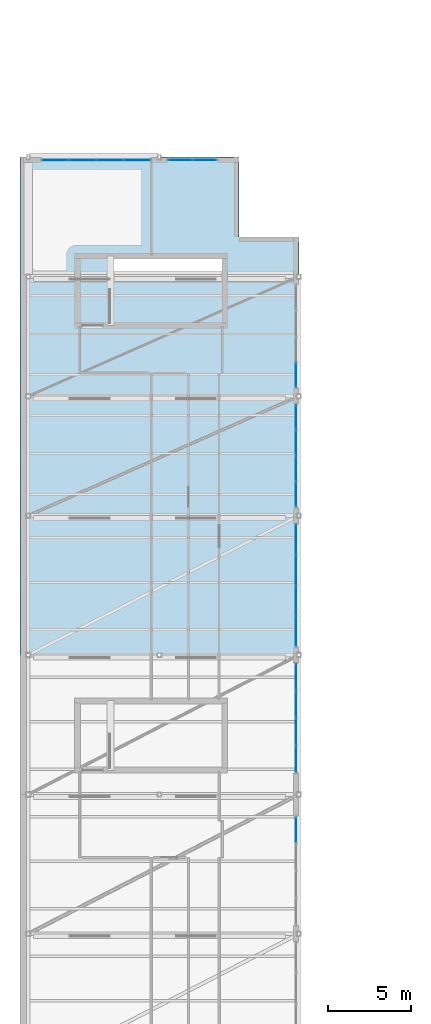
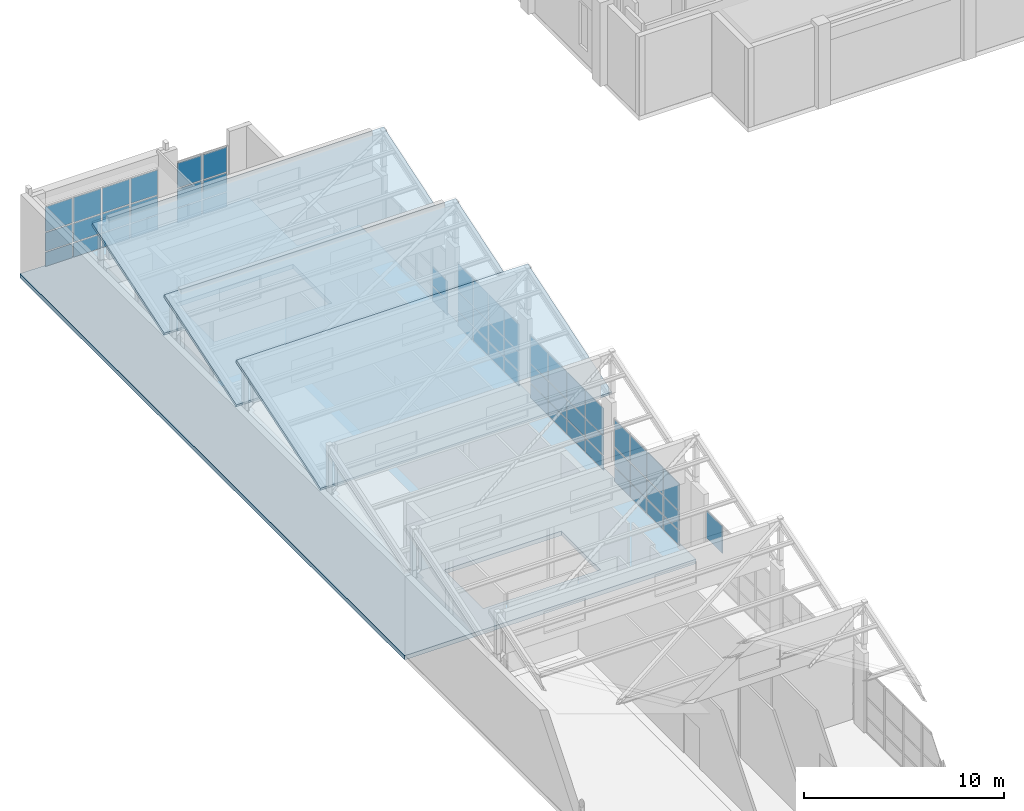
# One storey, part 22 of 34: 57 plates, 4 slabs, 7 elements without a shape of their own.
"""IFC4 building model written with IfcOpenShell, lengths in metres."""

from ifc_helpers import new_model, si_unit, direction, frame, origin, origin_2d, place, context, subcontext, project, spatial, polyline, rectangle, outline, extrude, material, layer, layer_set, type_object, element, aggregate, save


model = new_model("IFC4")

# Units and contexts
model_context = context("Model", 3, precision=1e-05, world=origin(), true_north=direction((0.0, 1.0)))
body_context = subcontext(model_context, "Body", "Model", "MODEL_VIEW")
ifc_project = project(units=[si_unit("LENGTHUNIT", "METRE"), si_unit("AREAUNIT", "SQUARE_METRE"), si_unit("VOLUMEUNIT", "CUBIC_METRE"), si_unit("PLANEANGLEUNIT", "RADIAN"), si_unit("MASSUNIT", "GRAM", prefix="KILO")], contexts=[model_context])

# Site, building, storey
site_placement = place(None, origin())
site = spatial("IfcSite", under=ifc_project, at=site_placement, CompositionType="ELEMENT")
building_placement = place(site_placement, origin())
building = spatial("IfcBuilding", under=site, at=building_placement, Name="Quendrovan Civic Courthouse", CompositionType="ELEMENT")
storey_placement = place(building_placement, frame((0.0, 0.0, 25.5)))
storey = spatial("IfcBuildingStorey", under=building, at=storey_placement, Name="L06", CompositionType="ELEMENT", Elevation=25.5)

# Curtain wall, plates
ifc_material_1 = material(Name="Bronze anodised aluminium and low-E glass", Category="aluminium")
ifc_layer_1 = layer(ifc_material_1, 0.179931640625, Name="Bronze anodised aluminium and low-E glass")
ifc_layer_set_1 = layer_set([ifc_layer_1], Name="Bronze anodised aluminium and low-E glass")
curtain_wall_type_1 = type_object("IfcCurtainWallType", Name="CW-U62x39", PredefinedType="USERDEFINED", material=ifc_layer_set_1)
curtain_wall_1_placement = place(storey_placement, origin())
curtain_wall_1 = element("IfcCurtainWall", 1, at=curtain_wall_1_placement, inside=storey, type_object=curtain_wall_type_1, Name="L06 Unitised Hurricane Curtain Wall CW-208", ObjectType="UNITISED CURTAIN WALL", PredefinedType="USERDEFINED")
ifc_material_2 = material(Name="Laminated hurricane-impact low-E glass", Category="glass")
ifc_layer_2 = layer(ifc_material_2, 0.028076171875, Name="Laminated hurricane-impact low-E glass")
ifc_layer_set_2 = layer_set([ifc_layer_2], Name="Laminated hurricane-impact low-E glass")
plate_type_1 = type_object("IfcPlateType", Name="CW-PNL-1", PredefinedType="CURTAIN_PANEL", material=ifc_layer_set_2)
plate_1_placement = place(storey_placement, frame((16.635009765625, 79.12939453125, 0.06982421875), z_axis=(0.0, 0.0, 1.0), x_axis=(0.0, -1.0, 0.0)))
plate_1 = element("IfcPlate", 2, at=plate_1_placement, type_object=plate_type_1, Name="CW-208 panel 1.1", PredefinedType="CURTAIN_PANEL", context=body_context, shape_type="SweptSolid", body=[
    extrude(rectangle(XDim=1.451171875, YDim=0.028076171875, at=origin_2d()), origin(), (0.0, 0.0, 1.0), 0.844970703125),
])
plate_2_placement = place(storey_placement, frame((16.635009765625, 79.12939453125, 0.985107421875), z_axis=(0.0, 0.0, 1.0), x_axis=(0.0, -1.0, 0.0)))
plate_2 = element("IfcPlate", 3, at=plate_2_placement, type_object=plate_type_1, Name="CW-208 panel 1.2", PredefinedType="CURTAIN_PANEL", context=body_context, shape_type="SweptSolid", body=[
    extrude(rectangle(XDim=1.451171875, YDim=0.028076171875, at=origin_2d()), origin(), (0.0, 0.0, 1.0), 1.1298828125),
])
plate_3_placement = place(storey_placement, frame((16.635009765625, 79.12939453125, 2.18505859375), z_axis=(0.0, 0.0, 1.0), x_axis=(0.0, -1.0, 0.0)))
plate_3 = element("IfcPlate", 4, at=plate_3_placement, type_object=plate_type_1, Name="CW-208 panel 1.3", PredefinedType="CURTAIN_PANEL", context=body_context, shape_type="SweptSolid", body=[
    extrude(rectangle(XDim=1.451171875, YDim=0.028076171875, at=origin_2d()), origin(), (0.0, 0.0, 1.0), 1.64501953125),
])
plate_4_placement = place(storey_placement, frame((16.635009765625, 77.590576171875, 0.06982421875), z_axis=(0.0, 0.0, 1.0), x_axis=(0.0, -1.0, 0.0)))
plate_4 = element("IfcPlate", 5, at=plate_4_placement, type_object=plate_type_1, Name="CW-208 panel 2.1", PredefinedType="CURTAIN_PANEL", context=body_context, shape_type="SweptSolid", body=[
    extrude(rectangle(XDim=1.486328125, YDim=0.028076171875, at=origin_2d()), origin(), (0.0, 0.0, 1.0), 0.844970703125),
])
plate_5_placement = place(storey_placement, frame((16.635009765625, 77.590576171875, 0.985107421875), z_axis=(0.0, 0.0, 1.0), x_axis=(0.0, -1.0, 0.0)))
plate_5 = element("IfcPlate", 6, at=plate_5_placement, type_object=plate_type_1, Name="CW-208 panel 2.2", PredefinedType="CURTAIN_PANEL", context=body_context, shape_type="SweptSolid", body=[
    extrude(rectangle(XDim=1.486328125, YDim=0.028076171875, at=origin_2d()), origin(), (0.0, 0.0, 1.0), 1.1298828125),
])
plate_6_placement = place(storey_placement, frame((16.635009765625, 77.590576171875, 2.18505859375), z_axis=(0.0, 0.0, 1.0), x_axis=(0.0, -1.0, 0.0)))
plate_6 = element("IfcPlate", 7, at=plate_6_placement, type_object=plate_type_1, Name="CW-208 panel 2.3", PredefinedType="CURTAIN_PANEL", context=body_context, shape_type="SweptSolid", body=[
    extrude(rectangle(XDim=1.486328125, YDim=0.028076171875, at=origin_2d()), origin(), (0.0, 0.0, 1.0), 1.64501953125),
])
plate_7_placement = place(storey_placement, frame((16.635009765625, 76.034423828125, 0.06982421875), z_axis=(0.0, 0.0, 1.0), x_axis=(0.0, -1.0, 0.0)))
plate_7 = element("IfcPlate", 8, at=plate_7_placement, type_object=plate_type_1, Name="CW-208 panel 3.1", PredefinedType="CURTAIN_PANEL", context=body_context, shape_type="SweptSolid", body=[
    extrude(rectangle(XDim=1.486328125, YDim=0.028076171875, at=origin_2d()), origin(), (0.0, 0.0, 1.0), 0.844970703125),
])
plate_8_placement = place(storey_placement, frame((16.635009765625, 76.034423828125, 0.985107421875), z_axis=(0.0, 0.0, 1.0), x_axis=(0.0, -1.0, 0.0)))
plate_8 = element("IfcPlate", 9, at=plate_8_placement, type_object=plate_type_1, Name="CW-208 panel 3.2", PredefinedType="CURTAIN_PANEL", context=body_context, shape_type="SweptSolid", body=[
    extrude(rectangle(XDim=1.486328125, YDim=0.028076171875, at=origin_2d()), origin(), (0.0, 0.0, 1.0), 1.1298828125),
])
plate_9_placement = place(storey_placement, frame((16.635009765625, 76.034423828125, 2.18505859375), z_axis=(0.0, 0.0, 1.0), x_axis=(0.0, -1.0, 0.0)))
plate_9 = element("IfcPlate", 10, at=plate_9_placement, type_object=plate_type_1, Name="CW-208 panel 3.3", PredefinedType="CURTAIN_PANEL", context=body_context, shape_type="SweptSolid", body=[
    extrude(rectangle(XDim=1.486328125, YDim=0.028076171875, at=origin_2d()), origin(), (0.0, 0.0, 1.0), 1.64501953125),
])
plate_10_placement = place(storey_placement, frame((16.635009765625, 74.49560546875, 0.06982421875), z_axis=(0.0, 0.0, 1.0), x_axis=(0.0, -1.0, 0.0)))
plate_10 = element("IfcPlate", 11, at=plate_10_placement, type_object=plate_type_1, Name="CW-208 panel 4.1", PredefinedType="CURTAIN_PANEL", context=body_context, shape_type="SweptSolid", body=[
    extrude(rectangle(XDim=1.451171875, YDim=0.028076171875, at=origin_2d()), origin(), (0.0, 0.0, 1.0), 0.844970703125),
])
plate_11_placement = place(storey_placement, frame((16.635009765625, 74.49560546875, 0.985107421875), z_axis=(0.0, 0.0, 1.0), x_axis=(0.0, -1.0, 0.0)))
plate_11 = element("IfcPlate", 12, at=plate_11_placement, type_object=plate_type_1, Name="CW-208 panel 4.2", PredefinedType="CURTAIN_PANEL", context=body_context, shape_type="SweptSolid", body=[
    extrude(rectangle(XDim=1.451171875, YDim=0.028076171875, at=origin_2d()), origin(), (0.0, 0.0, 1.0), 1.1298828125),
])
plate_12_placement = place(storey_placement, frame((16.635009765625, 74.49560546875, 2.18505859375), z_axis=(0.0, 0.0, 1.0), x_axis=(0.0, -1.0, 0.0)))
plate_12 = element("IfcPlate", 13, at=plate_12_placement, type_object=plate_type_1, Name="CW-208 panel 4.3", PredefinedType="CURTAIN_PANEL", context=body_context, shape_type="SweptSolid", body=[
    extrude(rectangle(XDim=1.451171875, YDim=0.028076171875, at=origin_2d()), origin(), (0.0, 0.0, 1.0), 1.64501953125),
])
aggregate(curtain_wall_1, [plate_1, plate_2, plate_3, plate_4, plate_5, plate_6, plate_7, plate_8, plate_9, plate_10, plate_11, plate_12])

ifc_layer_3 = layer(ifc_material_1, 0.179931640625, Name="Bronze anodised aluminium and low-E glass")
ifc_layer_set_3 = layer_set([ifc_layer_3], Name="Bronze anodised aluminium and low-E glass")
curtain_wall_type_2 = type_object("IfcCurtainWallType", Name="CW-U66x38", PredefinedType="USERDEFINED", material=ifc_layer_set_3)
curtain_wall_2_placement = place(storey_placement, origin())
curtain_wall_2 = element("IfcCurtainWall", 14, at=curtain_wall_2_placement, inside=storey, type_object=curtain_wall_type_2, Name="L06 Unitised Hurricane Curtain Wall CW-205", ObjectType="UNITISED CURTAIN WALL", PredefinedType="USERDEFINED")
ifc_layer_4 = layer(ifc_material_2, 0.031982421875, Name="Laminated hurricane-impact low-E glass")
ifc_layer_set_4 = layer_set([ifc_layer_4], Name="Laminated hurricane-impact low-E glass")
plate_type_2 = type_object("IfcPlateType", Name="CW-PNL-2", PredefinedType="CURTAIN_PANEL", material=ifc_layer_set_4)
plate_13_placement = place(storey_placement, frame((2.141357421875, 94.635009765625, 0.06494140625), z_axis=(0.0, 0.0, 1.0), x_axis=(1.0, 0.0, 0.0)))
plate_13 = element("IfcPlate", 15, at=plate_13_placement, type_object=plate_type_2, Name="CW-205 panel 1.1", PredefinedType="CURTAIN_PANEL", context=body_context, shape_type="SweptSolid", body=[
    extrude(rectangle(XDim=1.552490234375, YDim=0.031982421875, at=origin_2d()), origin(), (0.0, 0.0, 1.0), 0.8525390625),
])
plate_14_placement = place(storey_placement, frame((2.141357421875, 94.635009765625, 0.982421875), z_axis=(0.0, 0.0, 1.0), x_axis=(1.0, 0.0, 0.0)))
plate_14 = element("IfcPlate", 16, at=plate_14_placement, type_object=plate_type_2, Name="CW-205 panel 1.2", PredefinedType="CURTAIN_PANEL", context=body_context, shape_type="SweptSolid", body=[
    extrude(rectangle(XDim=1.552490234375, YDim=0.031982421875, at=origin_2d()), origin(), (0.0, 0.0, 1.0), 1.135009765625),
])
plate_15_placement = place(storey_placement, frame((2.141357421875, 94.635009765625, 2.1826171875), z_axis=(0.0, 0.0, 1.0), x_axis=(1.0, 0.0, 0.0)))
plate_15 = element("IfcPlate", 17, at=plate_15_placement, type_object=plate_type_2, Name="CW-205 panel 1.3", PredefinedType="CURTAIN_PANEL", context=body_context, shape_type="SweptSolid", body=[
    extrude(rectangle(XDim=1.552490234375, YDim=0.031982421875, at=origin_2d()), origin(), (0.0, 0.0, 1.0), 1.512451171875),
])
plate_16_placement = place(storey_placement, frame((3.77490234375, 94.635009765625, 0.06494140625), z_axis=(0.0, 0.0, 1.0), x_axis=(1.0, 0.0, 0.0)))
plate_16 = element("IfcPlate", 18, at=plate_16_placement, type_object=plate_type_2, Name="CW-205 panel 2.1", PredefinedType="CURTAIN_PANEL", context=body_context, shape_type="SweptSolid", body=[
    extrude(rectangle(XDim=1.5849609375, YDim=0.031982421875, at=origin_2d()), origin(), (0.0, 0.0, 1.0), 0.8525390625),
])
plate_17_placement = place(storey_placement, frame((3.77490234375, 94.635009765625, 0.982421875), z_axis=(0.0, 0.0, 1.0), x_axis=(1.0, 0.0, 0.0)))
plate_17 = element("IfcPlate", 19, at=plate_17_placement, type_object=plate_type_2, Name="CW-205 panel 2.2", PredefinedType="CURTAIN_PANEL", context=body_context, shape_type="SweptSolid", body=[
    extrude(rectangle(XDim=1.5849609375, YDim=0.031982421875, at=origin_2d()), origin(), (0.0, 0.0, 1.0), 1.135009765625),
])
plate_18_placement = place(storey_placement, frame((3.77490234375, 94.635009765625, 2.1826171875), z_axis=(0.0, 0.0, 1.0), x_axis=(1.0, 0.0, 0.0)))
plate_18 = element("IfcPlate", 20, at=plate_18_placement, type_object=plate_type_2, Name="CW-205 panel 2.3", PredefinedType="CURTAIN_PANEL", context=body_context, shape_type="SweptSolid", body=[
    extrude(rectangle(XDim=1.5849609375, YDim=0.031982421875, at=origin_2d()), origin(), (0.0, 0.0, 1.0), 1.512451171875),
])
plate_19_placement = place(storey_placement, frame((5.425048828125, 94.635009765625, 0.06494140625), z_axis=(0.0, 0.0, 1.0), x_axis=(1.0, 0.0, 0.0)))
plate_19 = element("IfcPlate", 21, at=plate_19_placement, type_object=plate_type_2, Name="CW-205 panel 3.1", PredefinedType="CURTAIN_PANEL", context=body_context, shape_type="SweptSolid", body=[
    extrude(rectangle(XDim=1.5849609375, YDim=0.031982421875, at=origin_2d()), origin(), (0.0, 0.0, 1.0), 0.8525390625),
])
plate_20_placement = place(storey_placement, frame((5.425048828125, 94.635009765625, 0.982421875), z_axis=(0.0, 0.0, 1.0), x_axis=(1.0, 0.0, 0.0)))
plate_20 = element("IfcPlate", 22, at=plate_20_placement, type_object=plate_type_2, Name="CW-205 panel 3.2", PredefinedType="CURTAIN_PANEL", context=body_context, shape_type="SweptSolid", body=[
    extrude(rectangle(XDim=1.5849609375, YDim=0.031982421875, at=origin_2d()), origin(), (0.0, 0.0, 1.0), 1.135009765625),
])
plate_21_placement = place(storey_placement, frame((5.425048828125, 94.635009765625, 2.1826171875), z_axis=(0.0, 0.0, 1.0), x_axis=(1.0, 0.0, 0.0)))
plate_21 = element("IfcPlate", 23, at=plate_21_placement, type_object=plate_type_2, Name="CW-205 panel 3.3", PredefinedType="CURTAIN_PANEL", context=body_context, shape_type="SweptSolid", body=[
    extrude(rectangle(XDim=1.5849609375, YDim=0.031982421875, at=origin_2d()), origin(), (0.0, 0.0, 1.0), 1.512451171875),
])
plate_22_placement = place(storey_placement, frame((7.058837890625, 94.635009765625, 0.06494140625), z_axis=(0.0, 0.0, 1.0), x_axis=(1.0, 0.0, 0.0)))
plate_22 = element("IfcPlate", 24, at=plate_22_placement, type_object=plate_type_2, Name="CW-205 panel 4.1", PredefinedType="CURTAIN_PANEL", context=body_context, shape_type="SweptSolid", body=[
    extrude(rectangle(XDim=1.552490234375, YDim=0.031982421875, at=origin_2d()), origin(), (0.0, 0.0, 1.0), 0.8525390625),
])
plate_23_placement = place(storey_placement, frame((7.058837890625, 94.635009765625, 0.982421875), z_axis=(0.0, 0.0, 1.0), x_axis=(1.0, 0.0, 0.0)))
plate_23 = element("IfcPlate", 25, at=plate_23_placement, type_object=plate_type_2, Name="CW-205 panel 4.2", PredefinedType="CURTAIN_PANEL", context=body_context, shape_type="SweptSolid", body=[
    extrude(rectangle(XDim=1.552490234375, YDim=0.031982421875, at=origin_2d()), origin(), (0.0, 0.0, 1.0), 1.135009765625),
])
plate_24_placement = place(storey_placement, frame((7.058837890625, 94.635009765625, 2.1826171875), z_axis=(0.0, 0.0, 1.0), x_axis=(1.0, 0.0, 0.0)))
plate_24 = element("IfcPlate", 26, at=plate_24_placement, type_object=plate_type_2, Name="CW-205 panel 4.3", PredefinedType="CURTAIN_PANEL", context=body_context, shape_type="SweptSolid", body=[
    extrude(rectangle(XDim=1.552490234375, YDim=0.031982421875, at=origin_2d()), origin(), (0.0, 0.0, 1.0), 1.512451171875),
])
aggregate(curtain_wall_2, [plate_13, plate_14, plate_15, plate_16, plate_17, plate_18, plate_19, plate_20, plate_21, plate_22, plate_23, plate_24])

ifc_layer_5 = layer(ifc_material_1, 0.179931640625, Name="Bronze anodised aluminium and low-E glass")
ifc_layer_set_5 = layer_set([ifc_layer_5], Name="Bronze anodised aluminium and low-E glass")
curtain_wall_type_3 = type_object("IfcCurtainWallType", Name="CW-U74x39", PredefinedType="USERDEFINED", material=ifc_layer_set_5)
curtain_wall_3_placement = place(storey_placement, origin())
curtain_wall_3 = element("IfcCurtainWall", 27, at=curtain_wall_3_placement, inside=storey, type_object=curtain_wall_type_3, Name="L06 Unitised Hurricane Curtain Wall CW-209", ObjectType="UNITISED CURTAIN WALL", PredefinedType="USERDEFINED")
plate_25_placement = place(storey_placement, frame((16.635009765625, 71.757080078125, 0.06494140625), z_axis=(0.0, 0.0, 1.0), x_axis=(0.0, -1.0, 0.0)))
plate_25 = element("IfcPlate", 28, at=plate_25_placement, type_object=plate_type_2, Name="CW-209 panel 1.1", PredefinedType="CURTAIN_PANEL", context=body_context, shape_type="SweptSolid", body=[
    extrude(rectangle(XDim=1.755859375, YDim=0.031982421875, at=origin_2d()), origin(), (0.0, 0.0, 1.0), 0.8525390625),
])
plate_26_placement = place(storey_placement, frame((16.635009765625, 71.757080078125, 0.982421875), z_axis=(0.0, 0.0, 1.0), x_axis=(0.0, -1.0, 0.0)))
plate_26 = element("IfcPlate", 29, at=plate_26_placement, type_object=plate_type_2, Name="CW-209 panel 1.2", PredefinedType="CURTAIN_PANEL", context=body_context, shape_type="SweptSolid", body=[
    extrude(rectangle(XDim=1.755859375, YDim=0.031982421875, at=origin_2d()), origin(), (0.0, 0.0, 1.0), 1.135009765625),
])
plate_27_placement = place(storey_placement, frame((16.635009765625, 71.757080078125, 2.1826171875), z_axis=(0.0, 0.0, 1.0), x_axis=(0.0, -1.0, 0.0)))
plate_27 = element("IfcPlate", 30, at=plate_27_placement, type_object=plate_type_2, Name="CW-209 panel 1.3", PredefinedType="CURTAIN_PANEL", context=body_context, shape_type="SweptSolid", body=[
    extrude(rectangle(XDim=1.755859375, YDim=0.031982421875, at=origin_2d()), origin(), (0.0, 0.0, 1.0), 1.652587890625),
])
plate_28_placement = place(storey_placement, frame((16.635009765625, 69.919921875, 0.06494140625), z_axis=(0.0, 0.0, 1.0), x_axis=(0.0, -1.0, 0.0)))
plate_28 = element("IfcPlate", 31, at=plate_28_placement, type_object=plate_type_2, Name="CW-209 panel 2.1", PredefinedType="CURTAIN_PANEL", context=body_context, shape_type="SweptSolid", body=[
    extrude(rectangle(XDim=1.788330078125, YDim=0.031982421875, at=origin_2d()), origin(), (0.0, 0.0, 1.0), 0.8525390625),
])
plate_29_placement = place(storey_placement, frame((16.635009765625, 69.919921875, 0.982421875), z_axis=(0.0, 0.0, 1.0), x_axis=(0.0, -1.0, 0.0)))
plate_29 = element("IfcPlate", 32, at=plate_29_placement, type_object=plate_type_2, Name="CW-209 panel 2.2", PredefinedType="CURTAIN_PANEL", context=body_context, shape_type="SweptSolid", body=[
    extrude(rectangle(XDim=1.788330078125, YDim=0.031982421875, at=origin_2d()), origin(), (0.0, 0.0, 1.0), 1.135009765625),
])
plate_30_placement = place(storey_placement, frame((16.635009765625, 69.919921875, 2.1826171875), z_axis=(0.0, 0.0, 1.0), x_axis=(0.0, -1.0, 0.0)))
plate_30 = element("IfcPlate", 33, at=plate_30_placement, type_object=plate_type_2, Name="CW-209 panel 2.3", PredefinedType="CURTAIN_PANEL", context=body_context, shape_type="SweptSolid", body=[
    extrude(rectangle(XDim=1.788330078125, YDim=0.031982421875, at=origin_2d()), origin(), (0.0, 0.0, 1.0), 1.652587890625),
])
plate_31_placement = place(storey_placement, frame((16.635009765625, 68.066650390625, 0.06494140625), z_axis=(0.0, 0.0, 1.0), x_axis=(0.0, -1.0, 0.0)))
plate_31 = element("IfcPlate", 34, at=plate_31_placement, type_object=plate_type_2, Name="CW-209 panel 3.1", PredefinedType="CURTAIN_PANEL", context=body_context, shape_type="SweptSolid", body=[
    extrude(rectangle(XDim=1.788330078125, YDim=0.031982421875, at=origin_2d()), origin(), (0.0, 0.0, 1.0), 0.8525390625),
])
plate_32_placement = place(storey_placement, frame((16.635009765625, 68.066650390625, 0.982421875), z_axis=(0.0, 0.0, 1.0), x_axis=(0.0, -1.0, 0.0)))
plate_32 = element("IfcPlate", 35, at=plate_32_placement, type_object=plate_type_2, Name="CW-209 panel 3.2", PredefinedType="CURTAIN_PANEL", context=body_context, shape_type="SweptSolid", body=[
    extrude(rectangle(XDim=1.788330078125, YDim=0.031982421875, at=origin_2d()), origin(), (0.0, 0.0, 1.0), 1.135009765625),
])
plate_33_placement = place(storey_placement, frame((16.635009765625, 68.066650390625, 2.1826171875), z_axis=(0.0, 0.0, 1.0), x_axis=(0.0, -1.0, 0.0)))
plate_33 = element("IfcPlate", 36, at=plate_33_placement, type_object=plate_type_2, Name="CW-209 panel 3.3", PredefinedType="CURTAIN_PANEL", context=body_context, shape_type="SweptSolid", body=[
    extrude(rectangle(XDim=1.788330078125, YDim=0.031982421875, at=origin_2d()), origin(), (0.0, 0.0, 1.0), 1.652587890625),
])
plate_34_placement = place(storey_placement, frame((16.635009765625, 66.2294921875, 0.06494140625), z_axis=(0.0, 0.0, 1.0), x_axis=(0.0, -1.0, 0.0)))
plate_34 = element("IfcPlate", 37, at=plate_34_placement, type_object=plate_type_2, Name="CW-209 panel 4.1", PredefinedType="CURTAIN_PANEL", context=body_context, shape_type="SweptSolid", body=[
    extrude(rectangle(XDim=1.755859375, YDim=0.031982421875, at=origin_2d()), origin(), (0.0, 0.0, 1.0), 0.8525390625),
])
plate_35_placement = place(storey_placement, frame((16.635009765625, 66.2294921875, 0.982421875), z_axis=(0.0, 0.0, 1.0), x_axis=(0.0, -1.0, 0.0)))
plate_35 = element("IfcPlate", 38, at=plate_35_placement, type_object=plate_type_2, Name="CW-209 panel 4.2", PredefinedType="CURTAIN_PANEL", context=body_context, shape_type="SweptSolid", body=[
    extrude(rectangle(XDim=1.755859375, YDim=0.031982421875, at=origin_2d()), origin(), (0.0, 0.0, 1.0), 1.135009765625),
])
plate_36_placement = place(storey_placement, frame((16.635009765625, 66.2294921875, 2.1826171875), z_axis=(0.0, 0.0, 1.0), x_axis=(0.0, -1.0, 0.0)))
plate_36 = element("IfcPlate", 39, at=plate_36_placement, type_object=plate_type_2, Name="CW-209 panel 4.3", PredefinedType="CURTAIN_PANEL", context=body_context, shape_type="SweptSolid", body=[
    extrude(rectangle(XDim=1.755859375, YDim=0.031982421875, at=origin_2d()), origin(), (0.0, 0.0, 1.0), 1.652587890625),
])
aggregate(curtain_wall_3, [plate_25, plate_26, plate_27, plate_28, plate_29, plate_30, plate_31, plate_32, plate_33, plate_34, plate_35, plate_36])

ifc_layer_6 = layer(ifc_material_1, 0.179931640625, Name="Bronze anodised aluminium and low-E glass")
ifc_layer_set_6 = layer_set([ifc_layer_6], Name="Bronze anodised aluminium and low-E glass")
curtain_wall_type_4 = type_object("IfcCurtainWallType", Name="CW-U30x38", PredefinedType="USERDEFINED", material=ifc_layer_set_6)
curtain_wall_4_placement = place(storey_placement, origin())
curtain_wall_4 = element("IfcCurtainWall", 40, at=curtain_wall_4_placement, inside=storey, type_object=curtain_wall_type_4, Name="L06 Unitised Hurricane Curtain Wall CW-206", ObjectType="UNITISED CURTAIN WALL", PredefinedType="USERDEFINED")
ifc_layer_7 = layer(ifc_material_2, 0.035888671875, Name="Laminated hurricane-impact low-E glass")
ifc_layer_set_7 = layer_set([ifc_layer_7], Name="Laminated hurricane-impact low-E glass")
plate_type_3 = type_object("IfcPlateType", Name="CW-PNL-3", PredefinedType="CURTAIN_PANEL", material=ifc_layer_set_7)
plate_37_placement = place(storey_placement, frame((9.66748046875, 94.635009765625, 0.06982421875), z_axis=(0.0, 0.0, 1.0), x_axis=(1.0, 0.0, 0.0)))
plate_37 = element("IfcPlate", 41, at=plate_37_placement, type_object=plate_type_3, Name="CW-206 panel 1.1", PredefinedType="CURTAIN_PANEL", context=body_context, shape_type="SweptSolid", body=[
    extrude(rectangle(XDim=1.39501953125, YDim=0.035888671875, at=origin_2d()), origin(), (0.0, 0.0, 1.0), 0.844970703125),
])
plate_38_placement = place(storey_placement, frame((9.66748046875, 94.635009765625, 0.985107421875), z_axis=(0.0, 0.0, 1.0), x_axis=(1.0, 0.0, 0.0)))
plate_38 = element("IfcPlate", 42, at=plate_38_placement, type_object=plate_type_3, Name="CW-206 panel 1.2", PredefinedType="CURTAIN_PANEL", context=body_context, shape_type="SweptSolid", body=[
    extrude(rectangle(XDim=1.39501953125, YDim=0.035888671875, at=origin_2d()), origin(), (0.0, 0.0, 1.0), 1.1298828125),
])
plate_39_placement = place(storey_placement, frame((9.66748046875, 94.635009765625, 2.18505859375), z_axis=(0.0, 0.0, 1.0), x_axis=(1.0, 0.0, 0.0)))
plate_39 = element("IfcPlate", 43, at=plate_39_placement, type_object=plate_type_3, Name="CW-206 panel 1.3", PredefinedType="CURTAIN_PANEL", context=body_context, shape_type="SweptSolid", body=[
    extrude(rectangle(XDim=1.39501953125, YDim=0.035888671875, at=origin_2d()), origin(), (0.0, 0.0, 1.0), 1.5048828125),
])
plate_40_placement = place(storey_placement, frame((11.132568359375, 94.635009765625, 0.06982421875), z_axis=(0.0, 0.0, 1.0), x_axis=(1.0, 0.0, 0.0)))
plate_40 = element("IfcPlate", 44, at=plate_40_placement, type_object=plate_type_3, Name="CW-206 panel 2.1", PredefinedType="CURTAIN_PANEL", context=body_context, shape_type="SweptSolid", body=[
    extrude(rectangle(XDim=1.39501953125, YDim=0.035888671875, at=origin_2d()), origin(), (0.0, 0.0, 1.0), 0.844970703125),
])
plate_41_placement = place(storey_placement, frame((11.132568359375, 94.635009765625, 0.985107421875), z_axis=(0.0, 0.0, 1.0), x_axis=(1.0, 0.0, 0.0)))
plate_41 = element("IfcPlate", 45, at=plate_41_placement, type_object=plate_type_3, Name="CW-206 panel 2.2", PredefinedType="CURTAIN_PANEL", context=body_context, shape_type="SweptSolid", body=[
    extrude(rectangle(XDim=1.39501953125, YDim=0.035888671875, at=origin_2d()), origin(), (0.0, 0.0, 1.0), 1.1298828125),
])
plate_42_placement = place(storey_placement, frame((11.132568359375, 94.635009765625, 2.18505859375), z_axis=(0.0, 0.0, 1.0), x_axis=(1.0, 0.0, 0.0)))
plate_42 = element("IfcPlate", 46, at=plate_42_placement, type_object=plate_type_3, Name="CW-206 panel 2.3", PredefinedType="CURTAIN_PANEL", context=body_context, shape_type="SweptSolid", body=[
    extrude(rectangle(XDim=1.39501953125, YDim=0.035888671875, at=origin_2d()), origin(), (0.0, 0.0, 1.0), 1.5048828125),
])
aggregate(curtain_wall_4, [plate_37, plate_38, plate_39, plate_40, plate_41, plate_42])

ifc_layer_8 = layer(ifc_material_1, 0.179931640625, Name="Bronze anodised aluminium and low-E glass")
ifc_layer_set_8 = layer_set([ifc_layer_8], Name="Bronze anodised aluminium and low-E glass")
curtain_wall_type_5 = type_object("IfcCurtainWallType", Name="CW-U66x39", PredefinedType="USERDEFINED", material=ifc_layer_set_8)
curtain_wall_5_placement = place(storey_placement, origin())
curtain_wall_5 = element("IfcCurtainWall", 47, at=curtain_wall_5_placement, inside=storey, type_object=curtain_wall_type_5, Name="L06 Unitised Hurricane Curtain Wall CW-210", ObjectType="UNITISED CURTAIN WALL", PredefinedType="USERDEFINED")
plate_43_placement = place(storey_placement, frame((16.635009765625, 63.46923828125, 0.06982421875), z_axis=(0.0, 0.0, 1.0), x_axis=(0.0, -1.0, 0.0)))
plate_43 = element("IfcPlate", 48, at=plate_43_placement, type_object=plate_type_3, Name="CW-210 panel 1.1", PredefinedType="CURTAIN_PANEL", context=body_context, shape_type="SweptSolid", body=[
    extrude(rectangle(XDim=1.54833984375, YDim=0.035888671875, at=origin_2d()), origin(), (0.0, 0.0, 1.0), 0.844970703125),
])
plate_44_placement = place(storey_placement, frame((16.635009765625, 63.46923828125, 0.985107421875), z_axis=(0.0, 0.0, 1.0), x_axis=(0.0, -1.0, 0.0)))
plate_44 = element("IfcPlate", 49, at=plate_44_placement, type_object=plate_type_3, Name="CW-210 panel 1.2", PredefinedType="CURTAIN_PANEL", context=body_context, shape_type="SweptSolid", body=[
    extrude(rectangle(XDim=1.54833984375, YDim=0.035888671875, at=origin_2d()), origin(), (0.0, 0.0, 1.0), 1.1298828125),
])
plate_45_placement = place(storey_placement, frame((16.635009765625, 63.46923828125, 2.18505859375), z_axis=(0.0, 0.0, 1.0), x_axis=(0.0, -1.0, 0.0)))
plate_45 = element("IfcPlate", 50, at=plate_45_placement, type_object=plate_type_3, Name="CW-210 panel 1.3", PredefinedType="CURTAIN_PANEL", context=body_context, shape_type="SweptSolid", body=[
    extrude(rectangle(XDim=1.54833984375, YDim=0.035888671875, at=origin_2d()), origin(), (0.0, 0.0, 1.0), 1.64501953125),
])
plate_46_placement = place(storey_placement, frame((16.635009765625, 61.83349609375, 0.06982421875), z_axis=(0.0, 0.0, 1.0), x_axis=(0.0, -1.0, 0.0)))
plate_46 = element("IfcPlate", 51, at=plate_46_placement, type_object=plate_type_3, Name="CW-210 panel 2.1", PredefinedType="CURTAIN_PANEL", context=body_context, shape_type="SweptSolid", body=[
    extrude(rectangle(XDim=1.58349609375, YDim=0.035888671875, at=origin_2d()), origin(), (0.0, 0.0, 1.0), 0.844970703125),
])
plate_47_placement = place(storey_placement, frame((16.635009765625, 61.83349609375, 0.985107421875), z_axis=(0.0, 0.0, 1.0), x_axis=(0.0, -1.0, 0.0)))
plate_47 = element("IfcPlate", 52, at=plate_47_placement, type_object=plate_type_3, Name="CW-210 panel 2.2", PredefinedType="CURTAIN_PANEL", context=body_context, shape_type="SweptSolid", body=[
    extrude(rectangle(XDim=1.58349609375, YDim=0.035888671875, at=origin_2d()), origin(), (0.0, 0.0, 1.0), 1.1298828125),
])
plate_48_placement = place(storey_placement, frame((16.635009765625, 61.83349609375, 2.18505859375), z_axis=(0.0, 0.0, 1.0), x_axis=(0.0, -1.0, 0.0)))
plate_48 = element("IfcPlate", 53, at=plate_48_placement, type_object=plate_type_3, Name="CW-210 panel 2.3", PredefinedType="CURTAIN_PANEL", context=body_context, shape_type="SweptSolid", body=[
    extrude(rectangle(XDim=1.58349609375, YDim=0.035888671875, at=origin_2d()), origin(), (0.0, 0.0, 1.0), 1.64501953125),
])
plate_49_placement = place(storey_placement, frame((16.635009765625, 60.18017578125, 0.06982421875), z_axis=(0.0, 0.0, 1.0), x_axis=(0.0, -1.0, 0.0)))
plate_49 = element("IfcPlate", 54, at=plate_49_placement, type_object=plate_type_3, Name="CW-210 panel 3.1", PredefinedType="CURTAIN_PANEL", context=body_context, shape_type="SweptSolid", body=[
    extrude(rectangle(XDim=1.58349609375, YDim=0.035888671875, at=origin_2d()), origin(), (0.0, 0.0, 1.0), 0.844970703125),
])
plate_50_placement = place(storey_placement, frame((16.635009765625, 60.18017578125, 0.985107421875), z_axis=(0.0, 0.0, 1.0), x_axis=(0.0, -1.0, 0.0)))
plate_50 = element("IfcPlate", 55, at=plate_50_placement, type_object=plate_type_3, Name="CW-210 panel 3.2", PredefinedType="CURTAIN_PANEL", context=body_context, shape_type="SweptSolid", body=[
    extrude(rectangle(XDim=1.58349609375, YDim=0.035888671875, at=origin_2d()), origin(), (0.0, 0.0, 1.0), 1.1298828125),
])
plate_51_placement = place(storey_placement, frame((16.635009765625, 60.18017578125, 2.18505859375), z_axis=(0.0, 0.0, 1.0), x_axis=(0.0, -1.0, 0.0)))
plate_51 = element("IfcPlate", 56, at=plate_51_placement, type_object=plate_type_3, Name="CW-210 panel 3.3", PredefinedType="CURTAIN_PANEL", context=body_context, shape_type="SweptSolid", body=[
    extrude(rectangle(XDim=1.58349609375, YDim=0.035888671875, at=origin_2d()), origin(), (0.0, 0.0, 1.0), 1.64501953125),
])
plate_52_placement = place(storey_placement, frame((16.635009765625, 58.544189453125, 0.06982421875), z_axis=(0.0, 0.0, 1.0), x_axis=(0.0, -1.0, 0.0)))
plate_52 = element("IfcPlate", 57, at=plate_52_placement, type_object=plate_type_3, Name="CW-210 panel 4.1", PredefinedType="CURTAIN_PANEL", context=body_context, shape_type="SweptSolid", body=[
    extrude(rectangle(XDim=1.54833984375, YDim=0.035888671875, at=origin_2d()), origin(), (0.0, 0.0, 1.0), 0.844970703125),
])
plate_53_placement = place(storey_placement, frame((16.635009765625, 58.544189453125, 0.985107421875), z_axis=(0.0, 0.0, 1.0), x_axis=(0.0, -1.0, 0.0)))
plate_53 = element("IfcPlate", 58, at=plate_53_placement, type_object=plate_type_3, Name="CW-210 panel 4.2", PredefinedType="CURTAIN_PANEL", context=body_context, shape_type="SweptSolid", body=[
    extrude(rectangle(XDim=1.54833984375, YDim=0.035888671875, at=origin_2d()), origin(), (0.0, 0.0, 1.0), 1.1298828125),
])
plate_54_placement = place(storey_placement, frame((16.635009765625, 58.544189453125, 2.18505859375), z_axis=(0.0, 0.0, 1.0), x_axis=(0.0, -1.0, 0.0)))
plate_54 = element("IfcPlate", 59, at=plate_54_placement, type_object=plate_type_3, Name="CW-210 panel 4.3", PredefinedType="CURTAIN_PANEL", context=body_context, shape_type="SweptSolid", body=[
    extrude(rectangle(XDim=1.54833984375, YDim=0.035888671875, at=origin_2d()), origin(), (0.0, 0.0, 1.0), 1.64501953125),
])
aggregate(curtain_wall_5, [plate_43, plate_44, plate_45, plate_46, plate_47, plate_48, plate_49, plate_50, plate_51, plate_52, plate_53, plate_54])

curtain_wall_6_placement = place(storey_placement, origin())
curtain_wall_6 = element("IfcCurtainWall", 60, at=curtain_wall_6_placement, inside=storey, type_object=curtain_wall_type_1, Name="L06 Unitised Hurricane Curtain Wall CW-207", ObjectType="UNITISED CURTAIN WALL", PredefinedType="USERDEFINED")
ifc_layer_9 = layer(ifc_material_2, 0.0419921875, Name="Laminated hurricane-impact low-E glass")
ifc_layer_set_9 = layer_set([ifc_layer_9], Name="Laminated hurricane-impact low-E glass")
plate_type_4 = type_object("IfcPlateType", Name="CW-PNL-4", PredefinedType="CURTAIN_PANEL", material=ifc_layer_set_9)
plate_55_placement = place(storey_placement, frame((16.635009765625, 81.671142578125, 0.06494140625), z_axis=(0.0, 0.0, 1.0), x_axis=(0.0, -1.0, 0.0)))
plate_55 = element("IfcPlate", 61, at=plate_55_placement, type_object=plate_type_4, Name="CW-207 panel 4.1", PredefinedType="CURTAIN_PANEL", context=body_context, shape_type="SweptSolid", body=[
    extrude(rectangle(XDim=1.462158203125, YDim=0.0419921875, at=origin_2d()), origin(), (0.0, 0.0, 1.0), 0.8525390625),
])
plate_56_placement = place(storey_placement, frame((16.635009765625, 81.671142578125, 0.982421875), z_axis=(0.0, 0.0, 1.0), x_axis=(0.0, -1.0, 0.0)))
plate_56 = element("IfcPlate", 62, at=plate_56_placement, type_object=plate_type_4, Name="CW-207 panel 4.2", PredefinedType="CURTAIN_PANEL", context=body_context, shape_type="SweptSolid", body=[
    extrude(rectangle(XDim=1.462158203125, YDim=0.0419921875, at=origin_2d()), origin(), (0.0, 0.0, 1.0), 1.135009765625),
])
aggregate(curtain_wall_6, [plate_55, plate_56])

# Curtain wall, plate
curtain_wall_7_placement = place(storey_placement, origin())
curtain_wall_7 = element("IfcCurtainWall", 63, at=curtain_wall_7_placement, inside=storey, type_object=curtain_wall_type_5, Name="L06 Unitised Hurricane Curtain Wall CW-211", ObjectType="UNITISED CURTAIN WALL", PredefinedType="USERDEFINED")
plate_57_placement = place(storey_placement, frame((16.635009765625, 54.2587890625, 2.1826171875), z_axis=(0.0, 0.0, 1.0), x_axis=(0.0, -1.0, 0.0)))
plate_57 = element("IfcPlate", 64, at=plate_57_placement, type_object=plate_type_4, Name="CW-211 panel 1.3", PredefinedType="CURTAIN_PANEL", context=body_context, shape_type="SweptSolid", body=[
    extrude(rectangle(XDim=1.552490234375, YDim=0.0419921875, at=origin_2d()), origin(), (0.0, 0.0, 1.0), 1.652587890625),
])
aggregate(curtain_wall_7, [plate_57])

# Slabs
ifc_material_3 = material(Name="Concrete C40/50", Category="concrete")
ifc_layer_10 = layer(ifc_material_3, 0.260009765625, Name="Concrete C40/50")
ifc_layer_set_10 = layer_set([ifc_layer_10], Name="Concrete C40/50")
slab_type_1 = type_object("IfcSlabType", Name="SLB-RC-260", PredefinedType="FLOOR", material=ifc_layer_set_10)
slab_1_placement = place(storey_placement, frame((0.0, 0.0, -0.260009765625)))
element("IfcSlab", 65, at=slab_1_placement, inside=storey, type_object=slab_type_1, Name="L06 Structural Floor Slab V4N", PredefinedType="FLOOR", context=body_context, shape_type="SweptSolid", body=[
    extrude(outline(polyline([(0.0, 56.39990234375), (0.0, 94.800048828125), (13.199951171875, 94.800048828125), (13.199951171875, 90.0), (16.800048828125, 90.0), (16.800048828125, 56.39990234375), (0.0, 56.39990234375)]), holes=[polyline([(5.449951171875, 58.0), (12.199951171875, 58.0), (12.199951171875, 61.8798828125), (5.449951171875, 61.8798828125), (5.449951171875, 58.0)]), polyline([(5.449951171875, 84.800048828125), (12.199951171875, 84.800048828125), (12.199951171875, 88.679931640625), (5.449951171875, 88.679931640625), (5.449951171875, 84.800048828125)])]), origin(), (0.0, 0.0, 1.0), 0.260009765625),
])
ifc_layer_11 = layer(ifc_material_3, 0.179931640625, Name="Concrete C40/50")
ifc_layer_set_11 = layer_set([ifc_layer_11], Name="Concrete C40/50")
slab_type_2 = type_object("IfcSlabType", Name="SLB-SAW-180", PredefinedType="ROOF", material=ifc_layer_set_11)
slab_2_placement = place(storey_placement, frame((0.0, 64.800048828125, 5.10009765625), z_axis=(0.0, -0.309012317167, 0.951058036), x_axis=(1.0, 0.0, 0.0)))
element("IfcSlab", 66, at=slab_2_placement, inside=storey, type_object=slab_type_2, Name="Law Library Sawtooth Roof Slab Bay 6", PredefinedType="ROOF", context=body_context, shape_type="SweptSolid", body=[
    extrude(outline(polyline([(0.0, 0.0), (16.800048828125, 0.0), (16.800048828125, 8.832165888722184), (0.0, 8.832165888722184), (0.0, 0.0)])), origin(), (0.0, 0.0, -1.0), 0.179931640625),
])
slab_3_placement = place(storey_placement, frame((0.0, 73.199951171875, 5.10009765625), z_axis=(0.0, -0.309010963217, 0.951058475916), x_axis=(1.0, 0.0, 0.0)))
element("IfcSlab", 67, at=slab_3_placement, inside=storey, type_object=slab_type_2, Name="Law Library Sawtooth Roof Slab Bay 7", PredefinedType="ROOF", context=body_context, shape_type="SweptSolid", body=[
    extrude(outline(polyline([(0.0, 0.0), (16.800048828125, 0.0), (16.800048828125, 7.57046107489859), (0.0, 7.57046107489859), (0.0, 0.0)])), origin(), (0.0, 0.0, -1.0), 0.179931640625),
])
slab_4_placement = place(storey_placement, frame((0.0, 80.39990234375, 5.10009765625), z_axis=(0.0, -0.309001485882, 0.95106155517), x_axis=(1.0, 0.0, 0.0)))
element("IfcSlab", 68, at=slab_4_placement, inside=storey, type_object=slab_type_2, Name="Law Library Sawtooth Roof Slab Bay 8", PredefinedType="ROOF", context=body_context, shape_type="SweptSolid", body=[
    extrude(outline(polyline([(0.0, 0.0), (16.800048828125, 0.0), (16.800048828125, 7.570693267285203), (0.0, 7.570693267285203), (0.0, 0.0)])), origin(), (0.0, 0.0, -1.0), 0.179931640625),
])

save(model, "model.ifc")
